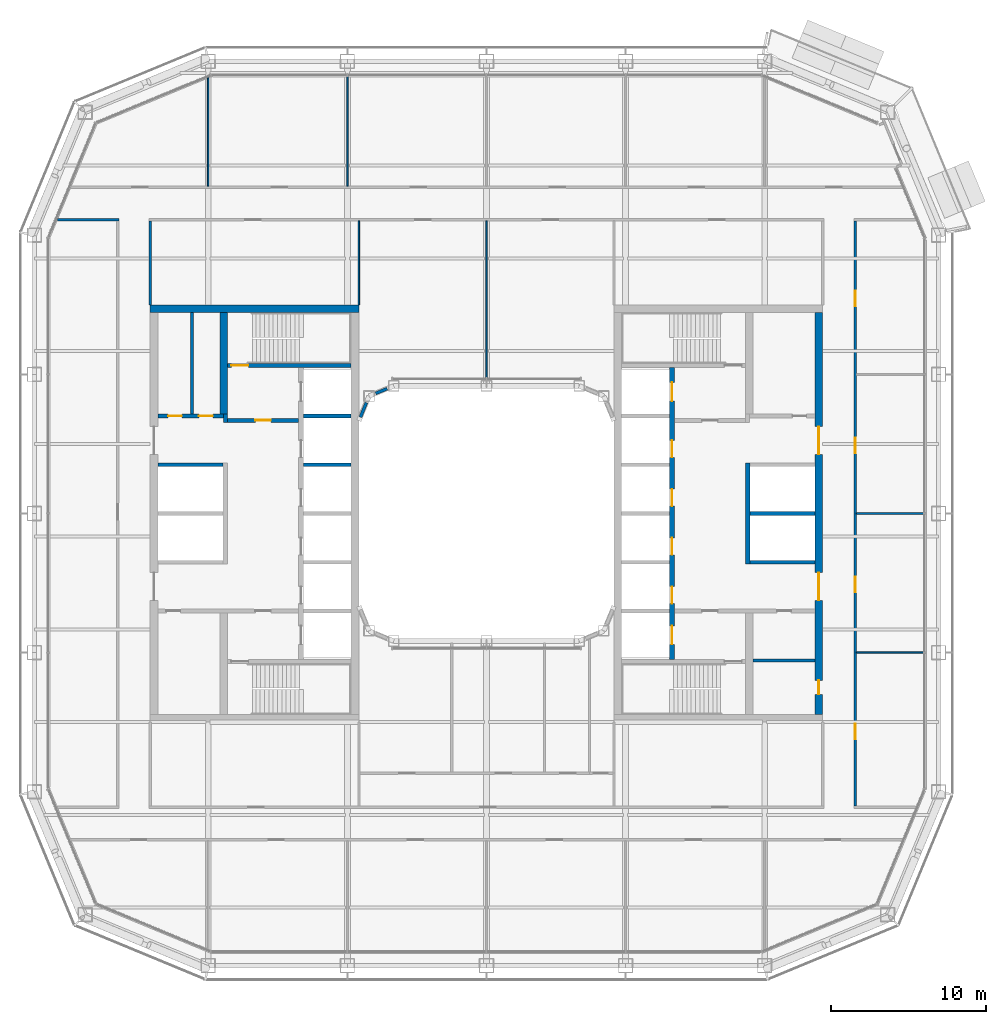
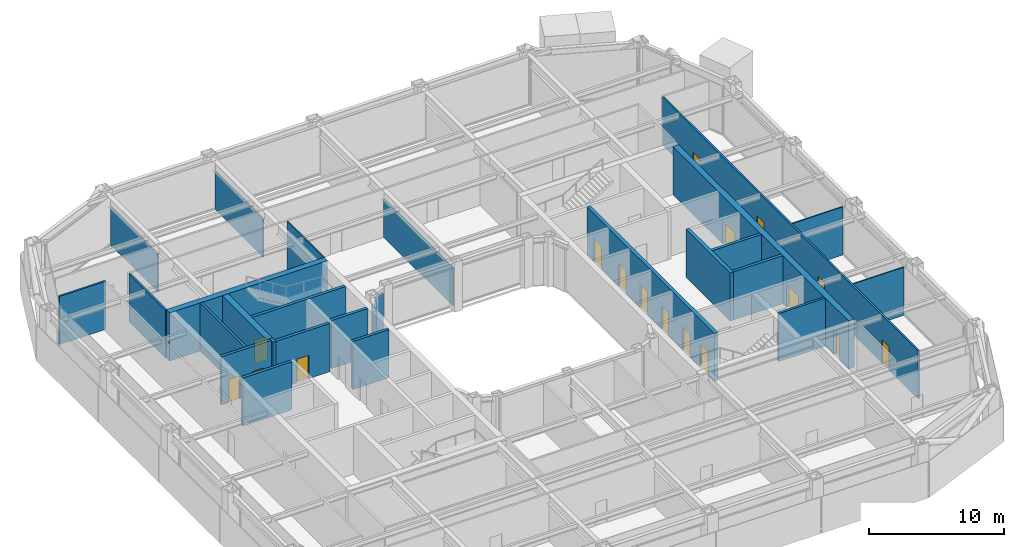
# One storey, part 13 of 23: 27 walls, 17 doors, 17 openings.
"""IFC4 building model written with IfcOpenShell, lengths in metres."""

from ifc_helpers import new_model, si_unit, direction, frame, frame_2d, origin, place, context, subcontext, project, spatial, rectangle, extrude, material, layer, layer_set, type_object, element, fill, save


model = new_model("IFC4")

# Units and contexts
model_context = context("Model", 3, precision=1e-05, world=origin(), true_north=direction((0.0, 1.0)))
body_context = subcontext(model_context, "Body", "Model", "MODEL_VIEW")
ifc_project = project(units=[si_unit("LENGTHUNIT", "METRE"), si_unit("AREAUNIT", "SQUARE_METRE"), si_unit("VOLUMEUNIT", "CUBIC_METRE"), si_unit("PLANEANGLEUNIT", "RADIAN"), si_unit("MASSUNIT", "GRAM", prefix="KILO")], contexts=[model_context])

# Site, building, storey
site_placement = place(None, origin())
site = spatial("IfcSite", under=ifc_project, at=site_placement, CompositionType="ELEMENT")
building_placement = place(site_placement, origin())
building = spatial("IfcBuilding", under=site, at=building_placement, Name="Siwar Civic Tower", CompositionType="ELEMENT")
storey_placement = place(building_placement, frame((0.0, 0.0, 131.699951171875)))
storey = spatial("IfcBuildingStorey", under=building, at=storey_placement, Name="L28", CompositionType="ELEMENT", Elevation=131.699951171875)

# Walls
ifc_material_1 = material(Name="Gypsum board on steel studs", Category="steel")
ifc_layer_1 = layer(ifc_material_1, 0.199951171875)
ifc_layer_set_1 = layer_set([ifc_layer_1], Name="Gypsum board on steel studs")
wall_type_1 = type_object("IfcWallType", Name="CORE-PARTITION-200", PredefinedType="PARTITIONING", material=ifc_layer_set_1)
wall_1_placement = place(storey_placement, frame((-19.050048828125, 6.425048828125, 0.0), z_axis=(0.0, 0.0, 1.0), x_axis=(0.0, 1.0, 0.0)))
element("IfcWall", 1, at=wall_1_placement, inside=storey, type_object=wall_type_1, Name="Core partition W", PredefinedType="PARTITIONING", context=body_context, shape_type="SweptSolid", body=[
    extrude(rectangle(XDim=6.574951171875, YDim=0.199951171875, at=frame_2d((3.28759765625, 0.0))), origin(), (0.0, 0.0, 1.0), 4.35009765625),
])
wall_2_placement = place(storey_placement, frame((17.25, -9.5, 0.0), z_axis=(0.0, 0.0, 1.0), x_axis=(1.0, 0.0, 0.0)))
element("IfcWall", 2, at=wall_2_placement, inside=storey, type_object=wall_type_1, Name="Core partition E", PredefinedType="PARTITIONING", context=body_context, shape_type="SweptSolid", body=[
    extrude(rectangle(XDim=4.0, YDim=0.199951171875, at=frame_2d((2.0, 0.0))), origin(), (0.0, 0.0, 1.0), 4.35009765625),
])

# Wall, opening, door
ifc_material_2 = material(Name="Concrete C60/75", Category="concrete")
ifc_layer_2 = layer(ifc_material_2, 0.25)
ifc_layer_set_2 = layer_set([ifc_layer_2], Name="Concrete C60/75")
wall_type_2 = type_object("IfcWallType", Name="CORE-WALL-RC250", PredefinedType="SHEAR", material=ifc_layer_set_2)
wall_3_placement = place(storey_placement, frame((-12.14990234375, 6.02490234375, 0.0), z_axis=(0.0, 0.0, 1.0), x_axis=(-1.0, 0.0, 0.0)))
wall_3 = element("IfcWall", 3, at=wall_3_placement, inside=storey, type_object=wall_type_2, Name="Core wall W", PredefinedType="SHEAR", context=body_context, shape_type="SweptSolid", body=[
    extrude(rectangle(XDim=4.60009765625, YDim=0.25, at=frame_2d((2.300048828125, 0.0))), origin(), (0.0, 0.0, 1.0), 4.35009765625),
])
opening_1_placement = place(wall_3_placement, frame((1.800048828125, 0.0, 0.0)))
opening_1 = element("IfcOpeningElement", 4, at=opening_1_placement, cuts=wall_3, Name="Opening L28-CW01", PredefinedType="OPENING", context=body_context, shape_type="SweptSolid", body=[
    extrude(rectangle(XDim=1.0, YDim=2.10009765625, at=frame_2d((0.5, 1.050048828125))), frame((0.0, 0.135009765625, 0.0), z_axis=(0.0, -1.0, 0.0), x_axis=(1.0, 0.0, 0.0)), (0.0, 0.0, 1.0), 0.27001953125),
])
ifc_material_3 = material(Name="Steel door leaf", Category="steel")
door_type_1 = type_object("IfcDoorType", Name="CORE-DOOR-FD30S", OperationType="SINGLE_SWING_LEFT", PredefinedType="DOOR", material=ifc_material_3)
door_1_placement = place(opening_1_placement, origin())
door_1 = element("IfcDoor", 5, at=door_1_placement, inside=storey, type_object=door_type_1, Name="Firefighting lobby door L28-CW01", OperationType="SINGLE_SWING_LEFT", OverallHeight=2.10009765625, OverallWidth=1.0, PredefinedType="DOOR", context=body_context, shape_type="SweptSolid", body=[
    extrude(rectangle(XDim=1.0, YDim=2.10009765625, at=frame_2d((0.5, 1.050048828125))), frame((0.0, 0.02490234375, 0.0), z_axis=(0.0, -1.0, 0.0), x_axis=(1.0, 0.0, 0.0)), (0.0, 0.0, 1.0), 0.050048828125),
])
fill(opening_1, door_1)

# Wall
wall_4_placement = place(storey_placement, frame((-16.875, 5.89990234375, 0.0), z_axis=(0.0, 0.0, 1.0), x_axis=(0.0, 1.0, 0.0)))
element("IfcWall", 6, at=wall_4_placement, inside=storey, type_object=wall_type_2, Name="Core wall W", PredefinedType="SHEAR", context=body_context, shape_type="SweptSolid", body=[
    extrude(rectangle(XDim=0.525146484375, YDim=0.25, at=frame_2d((0.2626953125, 0.0))), origin(), (0.0, 0.0, 1.0), 4.35009765625),
])

# Wall, openings, doors
wall_5_placement = place(storey_placement, frame((-17.0, 6.300048828125, 0.0), z_axis=(0.0, 0.0, 1.0), x_axis=(-1.0, 0.0, 0.0)))
wall_5 = element("IfcWall", 7, at=wall_5_placement, inside=storey, type_object=wall_type_2, Name="Core wall W", PredefinedType="SHEAR", context=body_context, shape_type="SweptSolid", body=[
    extrude(rectangle(XDim=4.25, YDim=0.25, at=frame_2d((2.125, 0.0))), origin(), (0.0, 0.0, 1.0), 4.35009765625),
])
opening_2_placement = place(wall_5_placement, frame((0.699951171875, 0.0, 0.0)))
opening_2 = element("IfcOpeningElement", 8, at=opening_2_placement, cuts=wall_5, Name="Opening L28-CW13", PredefinedType="OPENING", context=body_context, shape_type="SweptSolid", body=[
    extrude(rectangle(XDim=0.89990234375, YDim=2.10009765625, at=frame_2d((0.449951171875, 1.050048828125))), frame((0.0, 0.135009765625, 0.0), z_axis=(0.0, -1.0, 0.0), x_axis=(1.0, 0.0, 0.0)), (0.0, 0.0, 1.0), 0.27001953125),
])
opening_3_placement = place(wall_5_placement, frame((2.699951171875, 0.0, 0.0)))
opening_3 = element("IfcOpeningElement", 9, at=opening_3_placement, cuts=wall_5, Name="Opening L28-CW14", PredefinedType="OPENING", context=body_context, shape_type="SweptSolid", body=[
    extrude(rectangle(XDim=0.89990234375, YDim=2.10009765625, at=frame_2d((0.449951171875, 1.050048828125))), frame((0.0, 0.135009765625, 0.0), z_axis=(0.0, -1.0, 0.0), x_axis=(1.0, 0.0, 0.0)), (0.0, 0.0, 1.0), 0.27001953125),
])
ifc_material_4 = material(Name="Steel door leaf", Category="steel")
door_type_2 = type_object("IfcDoorType", Name="CORE-DOOR-ROOM", OperationType="SINGLE_SWING_LEFT", PredefinedType="DOOR", material=ifc_material_4)
door_2_placement = place(opening_2_placement, origin())
door_2 = element("IfcDoor", 10, at=door_2_placement, inside=storey, type_object=door_type_2, Name="Core room door L28-CW13", OperationType="SINGLE_SWING_RIGHT", OverallHeight=2.10009765625, OverallWidth=0.89990234375, PredefinedType="DOOR", context=body_context, shape_type="SweptSolid", body=[
    extrude(rectangle(XDim=0.89990234375, YDim=2.10009765625, at=frame_2d((0.449951171875, 1.050048828125))), frame((0.0, 0.02490234375, 0.0), z_axis=(0.0, -1.0, 0.0), x_axis=(1.0, 0.0, 0.0)), (0.0, 0.0, 1.0), 0.050048828125),
])
fill(opening_2, door_2)
door_3_placement = place(opening_3_placement, origin())
door_3 = element("IfcDoor", 11, at=door_3_placement, inside=storey, type_object=door_type_2, Name="Core room door L28-CW14", OperationType="SINGLE_SWING_LEFT", OverallHeight=2.10009765625, OverallWidth=0.89990234375, PredefinedType="DOOR", context=body_context, shape_type="SweptSolid", body=[
    extrude(rectangle(XDim=0.89990234375, YDim=2.10009765625, at=frame_2d((0.449951171875, 1.050048828125))), frame((0.0, 0.02490234375, 0.0), z_axis=(0.0, -1.0, 0.0), x_axis=(1.0, 0.0, 0.0)), (0.0, 0.0, 1.0), 0.050048828125),
])
fill(opening_3, door_3)

# Walls
wall_6_placement = place(storey_placement, frame((-17.050048828125, 3.14990234375, 0.0), z_axis=(0.0, 0.0, 1.0), x_axis=(-1.0, 0.0, 0.0)))
element("IfcWall", 12, at=wall_6_placement, inside=storey, type_object=wall_type_2, Name="Core wall W", PredefinedType="SHEAR", context=body_context, shape_type="SweptSolid", body=[
    extrude(rectangle(XDim=4.199951171875, YDim=0.25, at=frame_2d((2.10009765625, 0.0))), origin(), (0.0, 0.0, 1.0), 4.35009765625),
])
for number, where, z_axis, x_axis, name in (
    (13, (-8.75, 3.14990234375, 0.0), (0.0, 0.0, 1.0), (-1.0, 0.0, 0.0), "Core wall W"),
    (14, (-8.75, 6.300048828125, 0.0), (0.0, 0.0, 1.0), (-1.0, 0.0, 0.0), "Core wall W"),
):
    element("IfcWall", number, at=place(storey_placement, frame(where, z_axis=z_axis, x_axis=x_axis)), inside=storey, type_object=wall_type_2, Name=name, PredefinedType="SHEAR", context=body_context, shape_type="SweptSolid", body=[
        extrude(rectangle(XDim=3.10009765625, YDim=0.25, at=frame_2d((1.550048828125, 0.0))), origin(), (0.0, 0.0, 1.0), 4.35009765625),
    ])

# Wall, opening, door
wall_7_placement = place(storey_placement, frame((-8.75, 9.574951171875, 0.0), z_axis=(0.0, 0.0, 1.0), x_axis=(-1.0, 0.0, 0.0)))
wall_7 = element("IfcWall", 15, at=wall_7_placement, inside=storey, type_object=wall_type_2, Name="Core wall W", PredefinedType="SHEAR", context=body_context, shape_type="SweptSolid", body=[
    extrude(rectangle(XDim=8.0, YDim=0.25, at=frame_2d((4.0, 0.0))), origin(), (0.0, 0.0, 1.0), 4.35009765625),
])
opening_4_placement = place(wall_7_placement, frame((6.64990234375, 0.0, 0.0)))
opening_4 = element("IfcOpeningElement", 16, at=opening_4_placement, cuts=wall_7, Name="Opening L28-CW03", PredefinedType="OPENING", context=body_context, shape_type="SweptSolid", body=[
    extrude(rectangle(XDim=1.10009765625, YDim=2.10009765625, at=frame_2d((0.550048828125, 1.050048828125))), frame((0.0, 0.135009765625, 0.0), z_axis=(0.0, -1.0, 0.0), x_axis=(1.0, 0.0, 0.0)), (0.0, 0.0, 1.0), 0.27001953125),
])
ifc_material_5 = material(Name="Steel door leaf", Category="steel")
door_type_3 = type_object("IfcDoorType", Name="CORE-DOOR-FD60S", OperationType="SINGLE_SWING_LEFT", PredefinedType="DOOR", material=ifc_material_5)
door_4_placement = place(opening_4_placement, origin())
door_4 = element("IfcDoor", 17, at=door_4_placement, inside=storey, type_object=door_type_3, Name="Stair door L28-CW03", OperationType="SINGLE_SWING_RIGHT", OverallHeight=2.10009765625, OverallWidth=1.10009765625, PredefinedType="DOOR", context=body_context, shape_type="SweptSolid", body=[
    extrude(rectangle(XDim=1.10009765625, YDim=2.10009765625, at=frame_2d((0.550048828125, 1.050048828125))), frame((0.0, 0.02490234375, 0.0), z_axis=(0.0, -1.0, 0.0), x_axis=(1.0, 0.0, 0.0)), (0.0, 0.0, 1.0), 0.050048828125),
])
fill(opening_4, door_4)

# Walls
for number, where, z_axis, x_axis, name in (
    (18, (17.050048828125, 0.0, 0.0), (0.0, 0.0, 1.0), (1.0, 0.0, 0.0), "Core wall E"),
    (19, (17.050048828125, -3.14990234375, 0.0), (0.0, 0.0, 1.0), (1.0, 0.0, 0.0), "Core wall E"),
):
    element("IfcWall", number, at=place(storey_placement, frame(where, z_axis=z_axis, x_axis=x_axis)), inside=storey, type_object=wall_type_2, Name=name, PredefinedType="SHEAR", context=body_context, shape_type="SweptSolid", body=[
        extrude(rectangle(XDim=4.199951171875, YDim=0.25, at=frame_2d((2.10009765625, 0.0))), origin(), (0.0, 0.0, 1.0), 4.35009765625),
    ])

# Wall, openings, doors
ifc_material_6 = material(Name="Concrete C60/75", Category="concrete")
ifc_layer_3 = layer(ifc_material_6, 0.300048828125)
ifc_layer_set_3 = layer_set([ifc_layer_3], Name="Concrete C60/75")
wall_type_3 = type_object("IfcWallType", Name="CORE-WALL-RC300", PredefinedType="SHEAR", material=ifc_layer_set_3)
wall_8_placement = place(storey_placement, frame((12.0, -9.449951171875, 0.0), z_axis=(0.0, 0.0, 1.0), x_axis=(0.0, 1.0, 0.0)))
wall_8 = element("IfcWall", 20, at=wall_8_placement, inside=storey, type_object=wall_type_3, Name="Core wall E", PredefinedType="SHEAR", context=body_context, shape_type="SweptSolid", body=[
    extrude(rectangle(XDim=18.89990234375, YDim=0.300048828125, at=frame_2d((9.449951171875, 0.0))), origin(), (0.0, 0.0, 1.0), 4.35009765625),
])
opening_5_placement = place(wall_8_placement, frame((3.625, 0.0, 0.0)))
opening_5 = element("IfcOpeningElement", 21, at=opening_5_placement, cuts=wall_8, Name="Opening L28-CE07", PredefinedType="OPENING", context=body_context, shape_type="SweptSolid", body=[
    extrude(rectangle(XDim=1.10009765625, YDim=2.10009765625, at=frame_2d((0.550048828125, 1.050048828125))), frame((0.0, 0.16015625, 0.0), z_axis=(0.0, -1.0, 0.0), x_axis=(1.0, 0.0, 0.0)), (0.0, 0.0, 1.0), 0.320068359375),
])
opening_6_placement = place(wall_8_placement, frame((6.77490234375, 0.0, 0.0)))
opening_6 = element("IfcOpeningElement", 22, at=opening_6_placement, cuts=wall_8, Name="Opening L28-CE08", PredefinedType="OPENING", context=body_context, shape_type="SweptSolid", body=[
    extrude(rectangle(XDim=1.10009765625, YDim=2.10009765625, at=frame_2d((0.550048828125, 1.050048828125))), frame((0.0, 0.16015625, 0.0), z_axis=(0.0, -1.0, 0.0), x_axis=(1.0, 0.0, 0.0)), (0.0, 0.0, 1.0), 0.320068359375),
])
opening_7_placement = place(wall_8_placement, frame((9.925048828125, 0.0, 0.0)))
opening_7 = element("IfcOpeningElement", 23, at=opening_7_placement, cuts=wall_8, Name="Opening L28-CE09", PredefinedType="OPENING", context=body_context, shape_type="SweptSolid", body=[
    extrude(rectangle(XDim=1.10009765625, YDim=2.10009765625, at=frame_2d((0.550048828125, 1.050048828125))), frame((0.0, 0.16015625, 0.0), z_axis=(0.0, -1.0, 0.0), x_axis=(1.0, 0.0, 0.0)), (0.0, 0.0, 1.0), 0.320068359375),
])
opening_8_placement = place(wall_8_placement, frame((13.074951171875, 0.0, 0.0)))
opening_8 = element("IfcOpeningElement", 24, at=opening_8_placement, cuts=wall_8, Name="Opening L28-CE10", PredefinedType="OPENING", context=body_context, shape_type="SweptSolid", body=[
    extrude(rectangle(XDim=1.10009765625, YDim=2.10009765625, at=frame_2d((0.550048828125, 1.050048828125))), frame((0.0, 0.16015625, 0.0), z_axis=(0.0, -1.0, 0.0), x_axis=(1.0, 0.0, 0.0)), (0.0, 0.0, 1.0), 0.320068359375),
])
opening_9_placement = place(wall_8_placement, frame((16.72509765625, 0.0, 0.0)))
opening_9 = element("IfcOpeningElement", 25, at=opening_9_placement, cuts=wall_8, Name="Opening L28-CE11", PredefinedType="OPENING", context=body_context, shape_type="SweptSolid", body=[
    extrude(rectangle(XDim=1.199951171875, YDim=2.10009765625, at=frame_2d((0.60009765625, 1.050048828125))), frame((0.0, 0.16015625, 0.0), z_axis=(0.0, -1.0, 0.0), x_axis=(1.0, 0.0, 0.0)), (0.0, 0.0, 1.0), 0.320068359375),
])
opening_10_placement = place(wall_8_placement, frame((0.97509765625, 0.0, 0.0)))
opening_10 = element("IfcOpeningElement", 26, at=opening_10_placement, cuts=wall_8, Name="Opening L28-CE12", PredefinedType="OPENING", context=body_context, shape_type="SweptSolid", body=[
    extrude(rectangle(XDim=1.199951171875, YDim=2.10009765625, at=frame_2d((0.60009765625, 1.050048828125))), frame((0.0, 0.16015625, 0.0), z_axis=(0.0, -1.0, 0.0), x_axis=(1.0, 0.0, 0.0)), (0.0, 0.0, 1.0), 0.320068359375),
])
ifc_material_7 = material(Name="Steel door leaf", Category="steel")
door_type_4 = type_object("IfcDoorType", Name="CORE-DOOR-LD", OperationType="DOUBLE_DOOR_SLIDING", PredefinedType="DOOR", material=ifc_material_7)
door_5_placement = place(opening_5_placement, origin())
door_5 = element("IfcDoor", 27, at=door_5_placement, inside=storey, type_object=door_type_4, Name="Landing door LR5 L28-CE07", OperationType="DOUBLE_DOOR_SLIDING", OverallHeight=2.10009765625, OverallWidth=1.10009765625, PredefinedType="DOOR", context=body_context, shape_type="SweptSolid", body=[
    extrude(rectangle(XDim=1.10009765625, YDim=2.10009765625, at=frame_2d((0.550048828125, 1.050048828125))), frame((0.0, 0.02490234375, 0.0), z_axis=(0.0, -1.0, 0.0), x_axis=(1.0, 0.0, 0.0)), (0.0, 0.0, 1.0), 0.050048828125),
])
fill(opening_5, door_5)
door_6_placement = place(opening_6_placement, origin())
door_6 = element("IfcDoor", 28, at=door_6_placement, inside=storey, type_object=door_type_4, Name="Landing door LR6 L28-CE08", OperationType="DOUBLE_DOOR_SLIDING", OverallHeight=2.10009765625, OverallWidth=1.10009765625, PredefinedType="DOOR", context=body_context, shape_type="SweptSolid", body=[
    extrude(rectangle(XDim=1.10009765625, YDim=2.10009765625, at=frame_2d((0.550048828125, 1.050048828125))), frame((0.0, 0.02490234375, 0.0), z_axis=(0.0, -1.0, 0.0), x_axis=(1.0, 0.0, 0.0)), (0.0, 0.0, 1.0), 0.050048828125),
])
fill(opening_6, door_6)
door_7_placement = place(opening_7_placement, origin())
door_7 = element("IfcDoor", 29, at=door_7_placement, inside=storey, type_object=door_type_4, Name="Landing door LR7 L28-CE09", OperationType="DOUBLE_DOOR_SLIDING", OverallHeight=2.10009765625, OverallWidth=1.10009765625, PredefinedType="DOOR", context=body_context, shape_type="SweptSolid", body=[
    extrude(rectangle(XDim=1.10009765625, YDim=2.10009765625, at=frame_2d((0.550048828125, 1.050048828125))), frame((0.0, 0.02490234375, 0.0), z_axis=(0.0, -1.0, 0.0), x_axis=(1.0, 0.0, 0.0)), (0.0, 0.0, 1.0), 0.050048828125),
])
fill(opening_7, door_7)
door_8_placement = place(opening_8_placement, origin())
door_8 = element("IfcDoor", 30, at=door_8_placement, inside=storey, type_object=door_type_4, Name="Landing door LR8 L28-CE10", OperationType="DOUBLE_DOOR_SLIDING", OverallHeight=2.10009765625, OverallWidth=1.10009765625, PredefinedType="DOOR", context=body_context, shape_type="SweptSolid", body=[
    extrude(rectangle(XDim=1.10009765625, YDim=2.10009765625, at=frame_2d((0.550048828125, 1.050048828125))), frame((0.0, 0.02490234375, 0.0), z_axis=(0.0, -1.0, 0.0), x_axis=(1.0, 0.0, 0.0)), (0.0, 0.0, 1.0), 0.050048828125),
])
fill(opening_8, door_8)
ifc_material_8 = material(Name="Steel door leaf", Category="steel")
door_type_5 = type_object("IfcDoorType", Name="CORE-DOOR-LDW", OperationType="DOUBLE_DOOR_SLIDING", PredefinedType="DOOR", material=ifc_material_8)
door_9_placement = place(opening_9_placement, origin())
door_9 = element("IfcDoor", 31, at=door_9_placement, inside=storey, type_object=door_type_5, Name="Landing door FF2 L28-CE11", OperationType="DOUBLE_DOOR_SLIDING", OverallHeight=2.10009765625, OverallWidth=1.199951171875, PredefinedType="DOOR", context=body_context, shape_type="SweptSolid", body=[
    extrude(rectangle(XDim=1.199951171875, YDim=2.10009765625, at=frame_2d((0.60009765625, 1.050048828125))), frame((0.0, 0.02490234375, 0.0), z_axis=(0.0, -1.0, 0.0), x_axis=(1.0, 0.0, 0.0)), (0.0, 0.0, 1.0), 0.050048828125),
])
fill(opening_9, door_9)
door_10_placement = place(opening_10_placement, origin())
door_10 = element("IfcDoor", 32, at=door_10_placement, inside=storey, type_object=door_type_5, Name="Landing door SV2 L28-CE12", OperationType="DOUBLE_DOOR_SLIDING", OverallHeight=2.10009765625, OverallWidth=1.199951171875, PredefinedType="DOOR", context=body_context, shape_type="SweptSolid", body=[
    extrude(rectangle(XDim=1.199951171875, YDim=2.10009765625, at=frame_2d((0.60009765625, 1.050048828125))), frame((0.0, 0.02490234375, 0.0), z_axis=(0.0, -1.0, 0.0), x_axis=(1.0, 0.0, 0.0)), (0.0, 0.0, 1.0), 0.050048828125),
])
fill(opening_10, door_10)

# Walls
wall_9_placement = place(storey_placement, frame((16.89990234375, -3.27490234375, 0.0), z_axis=(0.0, 0.0, 1.0), x_axis=(0.0, 1.0, 0.0)))
element("IfcWall", 33, at=wall_9_placement, inside=storey, type_object=wall_type_3, Name="Core wall E", PredefinedType="SHEAR", context=body_context, shape_type="SweptSolid", body=[
    extrude(rectangle(XDim=6.5498046875, YDim=0.300048828125, at=frame_2d((3.27490234375, 0.0))), origin(), (0.0, 0.0, 1.0), 4.35009765625),
])
ifc_material_9 = material(Name="Concrete C60/75", Category="concrete")
ifc_layer_4 = layer(ifc_material_9, 0.5)
ifc_layer_set_4 = layer_set([ifc_layer_4], Name="Concrete C60/75")
wall_type_4 = type_object("IfcWallType", Name="CORE-WALL-RC500", PredefinedType="SHEAR", material=ifc_layer_set_4)
wall_10_placement = place(storey_placement, frame((-17.0, 6.425048828125, 0.0), z_axis=(0.0, 0.0, 1.0), x_axis=(0.0, 1.0, 0.0)))
element("IfcWall", 34, at=wall_10_placement, inside=storey, type_object=wall_type_4, Name="Core wall W", PredefinedType="SHEAR", context=body_context, shape_type="SweptSolid", body=[
    extrude(rectangle(XDim=6.574951171875, YDim=0.5, at=frame_2d((3.28759765625, 0.0))), origin(), (0.0, 0.0, 1.0), 4.35009765625),
])
wall_11_placement = place(storey_placement, frame((-8.25, 13.25, 0.0), z_axis=(0.0, 0.0, 1.0), x_axis=(-1.0, 0.0, 0.0)))
element("IfcWall", 35, at=wall_11_placement, inside=storey, type_object=wall_type_4, Name="Core wall W", PredefinedType="SHEAR", context=body_context, shape_type="SweptSolid", body=[
    extrude(rectangle(XDim=13.5, YDim=0.5, at=frame_2d((6.75, 0.0))), origin(), (0.0, 0.0, 1.0), 4.35009765625),
])

# Wall, openings, doors
wall_12_placement = place(storey_placement, frame((21.5, -13.0, 0.0), z_axis=(0.0, 0.0, 1.0), x_axis=(0.0, 1.0, 0.0)))
wall_12 = element("IfcWall", 36, at=wall_12_placement, inside=storey, type_object=wall_type_4, Name="Core wall E", PredefinedType="SHEAR", context=body_context, shape_type="SweptSolid", body=[
    extrude(rectangle(XDim=26.0, YDim=0.5, at=frame_2d((13.0, 0.0))), origin(), (0.0, 0.0, 1.0), 4.35009765625),
])
opening_11_placement = place(wall_12_placement, frame((16.824951171875, 0.0, 0.0)))
opening_11 = element("IfcOpeningElement", 37, at=opening_11_placement, cuts=wall_12, Name="Opening L28-CE05", PredefinedType="OPENING", context=body_context, shape_type="SweptSolid", body=[
    extrude(rectangle(XDim=1.800048828125, YDim=2.10009765625, at=frame_2d((0.89990234375, 1.050048828125))), frame((0.0, 0.260009765625, 0.0), z_axis=(0.0, -1.0, 0.0), x_axis=(1.0, 0.0, 0.0)), (0.0, 0.0, 1.0), 0.52001953125),
])
opening_12_placement = place(wall_12_placement, frame((7.375, 0.0, 0.0)))
opening_12 = element("IfcOpeningElement", 38, at=opening_12_placement, cuts=wall_12, Name="Opening L28-CE06", PredefinedType="OPENING", context=body_context, shape_type="SweptSolid", body=[
    extrude(rectangle(XDim=1.800048828125, YDim=2.10009765625, at=frame_2d((0.89990234375, 1.050048828125))), frame((0.0, 0.260009765625, 0.0), z_axis=(0.0, -1.0, 0.0), x_axis=(1.0, 0.0, 0.0)), (0.0, 0.0, 1.0), 0.52001953125),
])
opening_13_placement = place(wall_12_placement, frame((1.300048828125, 0.0, 0.0)))
opening_13 = element("IfcOpeningElement", 39, at=opening_13_placement, cuts=wall_12, Name="Opening L28-CE15", PredefinedType="OPENING", context=body_context, shape_type="SweptSolid", body=[
    extrude(rectangle(XDim=0.89990234375, YDim=2.10009765625, at=frame_2d((0.449951171875, 1.050048828125))), frame((0.0, 0.260009765625, 0.0), z_axis=(0.0, -1.0, 0.0), x_axis=(1.0, 0.0, 0.0)), (0.0, 0.0, 1.0), 0.52001953125),
])
ifc_material_10 = material(Name="Steel door leaf", Category="steel")
door_type_6 = type_object("IfcDoorType", Name="CORE-DOOR-PORT", OperationType="DOUBLE_DOOR_DOUBLE_SWING", PredefinedType="DOOR", material=ifc_material_10)
door_11_placement = place(opening_11_placement, origin())
door_11 = element("IfcDoor", 40, at=door_11_placement, inside=storey, type_object=door_type_6, Name="Core entrance door L28-CE05", OperationType="DOUBLE_DOOR_DOUBLE_SWING", OverallHeight=2.10009765625, OverallWidth=1.800048828125, PredefinedType="DOOR", context=body_context, shape_type="SweptSolid", body=[
    extrude(rectangle(XDim=1.800048828125, YDim=2.10009765625, at=frame_2d((0.89990234375, 1.050048828125))), frame((0.0, 0.02490234375, 0.0), z_axis=(0.0, -1.0, 0.0), x_axis=(1.0, 0.0, 0.0)), (0.0, 0.0, 1.0), 0.050048828125),
])
fill(opening_11, door_11)
door_12_placement = place(opening_12_placement, origin())
door_12 = element("IfcDoor", 41, at=door_12_placement, inside=storey, type_object=door_type_6, Name="Core entrance door L28-CE06", OperationType="DOUBLE_DOOR_DOUBLE_SWING", OverallHeight=2.10009765625, OverallWidth=1.800048828125, PredefinedType="DOOR", context=body_context, shape_type="SweptSolid", body=[
    extrude(rectangle(XDim=1.800048828125, YDim=2.10009765625, at=frame_2d((0.89990234375, 1.050048828125))), frame((0.0, 0.02490234375, 0.0), z_axis=(0.0, -1.0, 0.0), x_axis=(1.0, 0.0, 0.0)), (0.0, 0.0, 1.0), 0.050048828125),
])
fill(opening_12, door_12)
door_13_placement = place(opening_13_placement, origin())
door_13 = element("IfcDoor", 42, at=door_13_placement, inside=storey, type_object=door_type_2, Name="Core room door L28-CE15", OperationType="SINGLE_SWING_LEFT", OverallHeight=2.10009765625, OverallWidth=0.89990234375, PredefinedType="DOOR", context=body_context, shape_type="SweptSolid", body=[
    extrude(rectangle(XDim=0.89990234375, YDim=2.10009765625, at=frame_2d((0.449951171875, 1.050048828125))), frame((0.0, 0.02490234375, 0.0), z_axis=(0.0, -1.0, 0.0), x_axis=(1.0, 0.0, 0.0)), (0.0, 0.0, 1.0), 0.050048828125),
])
fill(opening_13, door_13)

# Walls
ifc_material_11 = material(Name="Gypsum board on steel studs", Category="steel")
ifc_layer_5 = layer(ifc_material_11, 0.14990234375)
ifc_layer_set_5 = layer_set([ifc_layer_5], Name="Gypsum board on steel studs")
wall_type_5 = type_object("IfcWallType", Name="CORRIDOR PARTITION 150 EI 30", PredefinedType="PARTITIONING", material=ifc_layer_set_5)
wall_13_placement = place(storey_placement, frame((-27.763916015625, 19.0, 0.0), z_axis=(0.0, 0.0, 1.0), x_axis=(1.0, 0.0, 0.0)))
element("IfcWall", 43, at=wall_13_placement, inside=storey, type_object=wall_type_5, Name="L28/wall/P10", PredefinedType="PARTITIONING", context=body_context, shape_type="SweptSolid", body=[
    extrude(rectangle(XDim=3.989013671875, YDim=0.14990234375, at=frame_2d((1.99462890625, 0.0))), origin(), (0.0, 0.0, 1.0), 4.35009765625),
])
wall_14_placement = place(storey_placement, frame((-21.75, 13.5, 0.0), z_axis=(0.0, 0.0, 1.0), x_axis=(0.0, 1.0, 0.0)))
element("IfcWall", 44, at=wall_14_placement, inside=storey, type_object=wall_type_5, Name="L28/wall/P16", PredefinedType="PARTITIONING", context=body_context, shape_type="SweptSolid", body=[
    extrude(rectangle(XDim=5.425048828125, YDim=0.14990234375, at=frame_2d((2.71240234375, 0.0))), origin(), (0.0, 0.0, 1.0), 4.35009765625),
])

# Wall, openings, doors
wall_15_placement = place(storey_placement, frame((23.85009765625, -18.925048828125, 0.0), z_axis=(0.0, 0.0, 1.0), x_axis=(0.0, 1.0, 0.0)))
wall_15 = element("IfcWall", 45, at=wall_15_placement, inside=storey, type_object=wall_type_5, Name="L28/wall/P38", PredefinedType="PARTITIONING", context=body_context, shape_type="SweptSolid", body=[
    extrude(rectangle(XDim=37.85009765625, YDim=0.14990234375, at=frame_2d((18.925048828125, 0.0))), origin(), (0.0, 0.0, 1.0), 4.35009765625),
])
opening_14_placement = place(wall_15_placement, frame((4.324951171875, 0.0, 0.0)))
opening_14 = element("IfcOpeningElement", 46, at=opening_14_placement, cuts=wall_15, Name="Opening D1", PredefinedType="OPENING", context=body_context, shape_type="SweptSolid", body=[
    extrude(rectangle(XDim=1.0, YDim=2.10009765625, at=frame_2d((0.5, 1.050048828125))), frame((0.0, 0.0849609375, 0.0), z_axis=(0.0, -1.0, 0.0), x_axis=(1.0, 0.0, 0.0)), (0.0, 0.0, 1.0), 0.169921875),
])
opening_15_placement = place(wall_15_placement, frame((13.824951171875, 0.0, 0.0)))
opening_15 = element("IfcOpeningElement", 47, at=opening_15_placement, cuts=wall_15, Name="Opening D1", PredefinedType="OPENING", context=body_context, shape_type="SweptSolid", body=[
    extrude(rectangle(XDim=1.0, YDim=2.10009765625, at=frame_2d((0.5, 1.050048828125))), frame((0.0, 0.0849609375, 0.0), z_axis=(0.0, -1.0, 0.0), x_axis=(1.0, 0.0, 0.0)), (0.0, 0.0, 1.0), 0.169921875),
])
opening_16_placement = place(wall_15_placement, frame((22.824951171875, 0.0, 0.0)))
opening_16 = element("IfcOpeningElement", 48, at=opening_16_placement, cuts=wall_15, Name="Opening D1", PredefinedType="OPENING", context=body_context, shape_type="SweptSolid", body=[
    extrude(rectangle(XDim=1.0, YDim=2.10009765625, at=frame_2d((0.5, 1.050048828125))), frame((0.0, 0.0849609375, 0.0), z_axis=(0.0, -1.0, 0.0), x_axis=(1.0, 0.0, 0.0)), (0.0, 0.0, 1.0), 0.169921875),
])
opening_17_placement = place(wall_15_placement, frame((32.324951171875, 0.0, 0.0)))
opening_17 = element("IfcOpeningElement", 49, at=opening_17_placement, cuts=wall_15, Name="Opening D1", PredefinedType="OPENING", context=body_context, shape_type="SweptSolid", body=[
    extrude(rectangle(XDim=1.0, YDim=2.10009765625, at=frame_2d((0.5, 1.050048828125))), frame((0.0, 0.0849609375, 0.0), z_axis=(0.0, -1.0, 0.0), x_axis=(1.0, 0.0, 0.0)), (0.0, 0.0, 1.0), 0.169921875),
])
ifc_material_12 = material(Name="Timber, painted", Category="wood")
door_type_7 = type_object("IfcDoorType", Name="DOOR 1000 X 2100 FD30", OperationType="SINGLE_SWING_LEFT", PredefinedType="DOOR", material=ifc_material_12)
door_14_placement = place(opening_14_placement, origin())
door_14 = element("IfcDoor", 50, at=door_14_placement, inside=storey, type_object=door_type_7, Name="L28-D25", OperationType="SINGLE_SWING_LEFT", OverallHeight=2.10009765625, OverallWidth=1.0, PredefinedType="DOOR", context=body_context, shape_type="SweptSolid", body=[
    extrude(rectangle(XDim=1.0, YDim=2.10009765625, at=frame_2d((0.5, 1.050048828125))), frame((0.0, 0.02490234375, 0.0), z_axis=(0.0, -1.0, 0.0), x_axis=(1.0, 0.0, 0.0)), (0.0, 0.0, 1.0), 0.050048828125),
])
fill(opening_14, door_14)
door_15_placement = place(opening_15_placement, origin())
door_15 = element("IfcDoor", 51, at=door_15_placement, inside=storey, type_object=door_type_7, Name="L28-D26", OperationType="SINGLE_SWING_RIGHT", OverallHeight=2.10009765625, OverallWidth=1.0, PredefinedType="DOOR", context=body_context, shape_type="SweptSolid", body=[
    extrude(rectangle(XDim=1.0, YDim=2.10009765625, at=frame_2d((0.5, 1.050048828125))), frame((0.0, 0.02490234375, 0.0), z_axis=(0.0, -1.0, 0.0), x_axis=(1.0, 0.0, 0.0)), (0.0, 0.0, 1.0), 0.050048828125),
])
fill(opening_15, door_15)
door_16_placement = place(opening_16_placement, origin())
door_16 = element("IfcDoor", 52, at=door_16_placement, inside=storey, type_object=door_type_7, Name="L28-D27", OperationType="SINGLE_SWING_LEFT", OverallHeight=2.10009765625, OverallWidth=1.0, PredefinedType="DOOR", context=body_context, shape_type="SweptSolid", body=[
    extrude(rectangle(XDim=1.0, YDim=2.10009765625, at=frame_2d((0.5, 1.050048828125))), frame((0.0, 0.02490234375, 0.0), z_axis=(0.0, -1.0, 0.0), x_axis=(1.0, 0.0, 0.0)), (0.0, 0.0, 1.0), 0.050048828125),
])
fill(opening_16, door_16)
door_17_placement = place(opening_17_placement, origin())
door_17 = element("IfcDoor", 53, at=door_17_placement, inside=storey, type_object=door_type_7, Name="L28-D28", OperationType="SINGLE_SWING_RIGHT", OverallHeight=2.10009765625, OverallWidth=1.0, PredefinedType="DOOR", context=body_context, shape_type="SweptSolid", body=[
    extrude(rectangle(XDim=1.0, YDim=2.10009765625, at=frame_2d((0.5, 1.050048828125))), frame((0.0, 0.02490234375, 0.0), z_axis=(0.0, -1.0, 0.0), x_axis=(1.0, 0.0, 0.0)), (0.0, 0.0, 1.0), 0.050048828125),
])
fill(opening_17, door_17)

# Walls
ifc_material_13 = material(Name="Aluminium clad insulated panel", Category="aluminium")
ifc_layer_6 = layer(ifc_material_13, 0.199951171875)
ifc_layer_set_6 = layer_set([ifc_layer_6], Name="Aluminium clad insulated panel")
wall_type_6 = type_object("IfcWallType", Name="ENV-WALL-WELL", PredefinedType="STANDARD", material=ifc_layer_set_6)
wall_16_placement = place(storey_placement, frame((-6.422607421875, 8.074951171875, 0.0), z_axis=(0.0, 0.0, 1.0), x_axis=(-0.923817771127, -0.382832503518, 0.0)))
element("IfcWall", 54, at=wall_16_placement, inside=storey, type_object=wall_type_6, Name="Light well corner wall NW1", PredefinedType="STANDARD", context=body_context, shape_type="SweptSolid", body=[
    extrude(rectangle(XDim=0.807373046875, YDim=0.199951171875, at=frame_2d((0.40380859375, 0.0))), origin(), (0.0, 0.0, 1.0), 3.825927734375),
])
wall_17_placement = place(storey_placement, frame((-7.765869140625, 7.16845703125, 0.0), z_axis=(0.0, 0.0, 1.0), x_axis=(-0.382769662028, -0.923843810301, 0.0)))
element("IfcWall", 55, at=wall_17_placement, inside=storey, type_object=wall_type_6, Name="Light well corner wall NW2", PredefinedType="STANDARD", context=body_context, shape_type="SweptSolid", body=[
    extrude(rectangle(XDim=1.014892578125, YDim=0.199951171875, at=frame_2d((0.50732421875, 0.0))), origin(), (0.0, 0.0, 1.0), 3.825927734375),
])
ifc_material_14 = material(Name="Gypsum board on steel studs", Category="steel")
ifc_layer_7 = layer(ifc_material_14, 0.10009765625)
ifc_layer_set_7 = layer_set([ifc_layer_7], Name="Gypsum board on steel studs")
wall_type_7 = type_object("IfcWallType", Name="PARTITION 100 GYPSUM", PredefinedType="PARTITIONING", material=ifc_layer_set_7)
for number, where, z_axis, x_axis, name in (
    (56, (23.925048828125, -9.0, 0.0), (0.0, 0.0, 1.0), (1.0, 0.0, 0.0), "L28/wall/P07"),
    (57, (23.925048828125, 0.0, 0.0), (0.0, 0.0, 1.0), (1.0, 0.0, 0.0), "L28/wall/P08"),
):
    element("IfcWall", number, at=place(storey_placement, frame(where, z_axis=z_axis, x_axis=x_axis)), inside=storey, type_object=wall_type_7, Name=name, PredefinedType="PARTITIONING", context=body_context, shape_type="SweptSolid", body=[
        extrude(rectangle(XDim=4.3349609375, YDim=0.10009765625, at=frame_2d((2.16748046875, 0.0))), origin(), (0.0, 0.0, 1.0), 4.35009765625),
    ])
wall_18_placement = place(storey_placement, frame((-18.0, 21.175048828125, 0.0), z_axis=(0.0, 0.0, 1.0), x_axis=(0.0, 1.0, 0.0)))
element("IfcWall", 58, at=wall_18_placement, inside=storey, type_object=wall_type_7, Name="L28/wall/P18", PredefinedType="PARTITIONING", context=body_context, shape_type="SweptSolid", body=[
    extrude(rectangle(XDim=7.0029296875, YDim=0.10009765625, at=frame_2d((3.50146484375, 0.0))), origin(), (0.0, 0.0, 1.0), 3.449951171875),
])
wall_19_placement = place(storey_placement, frame((-9.0, 21.175048828125, 0.0), z_axis=(0.0, 0.0, 1.0), x_axis=(0.0, 1.0, 0.0)))
element("IfcWall", 59, at=wall_19_placement, inside=storey, type_object=wall_type_7, Name="L28/wall/P20", PredefinedType="PARTITIONING", context=body_context, shape_type="SweptSolid", body=[
    extrude(rectangle(XDim=7.0849609375, YDim=0.10009765625, at=frame_2d((3.54248046875, 0.0))), origin(), (0.0, 0.0, 1.0), 3.449951171875),
])
wall_20_placement = place(storey_placement, frame((-8.25, 13.5, 0.0), z_axis=(0.0, 0.0, 1.0), x_axis=(0.0, 1.0, 0.0)))
element("IfcWall", 60, at=wall_20_placement, inside=storey, type_object=wall_type_7, Name="L28/wall/P21", PredefinedType="PARTITIONING", context=body_context, shape_type="SweptSolid", body=[
    extrude(rectangle(XDim=5.425048828125, YDim=0.10009765625, at=frame_2d((2.71240234375, 0.0))), origin(), (0.0, 0.0, 1.0), 4.35009765625),
])
wall_21_placement = place(storey_placement, frame((0.0, 8.64990234375, 0.0), z_axis=(0.0, 0.0, 1.0), x_axis=(0.0, 1.0, 0.0)))
element("IfcWall", 61, at=wall_21_placement, inside=storey, type_object=wall_type_7, Name="L28/wall/P25", PredefinedType="PARTITIONING", context=body_context, shape_type="SweptSolid", body=[
    extrude(rectangle(XDim=10.275146484375, YDim=0.10009765625, at=frame_2d((5.1376953125, 0.0))), origin(), (0.0, 0.0, 1.0), 3.449951171875),
])

save(model, "model.ifc")
